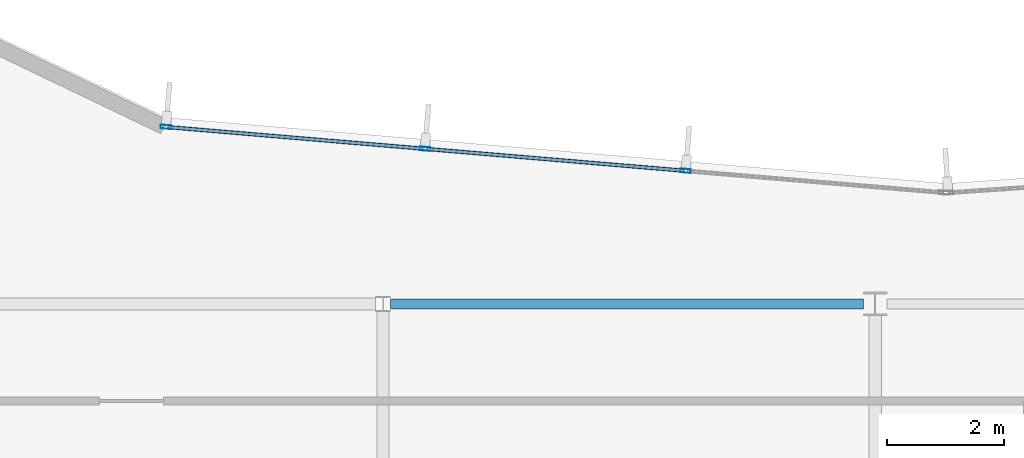
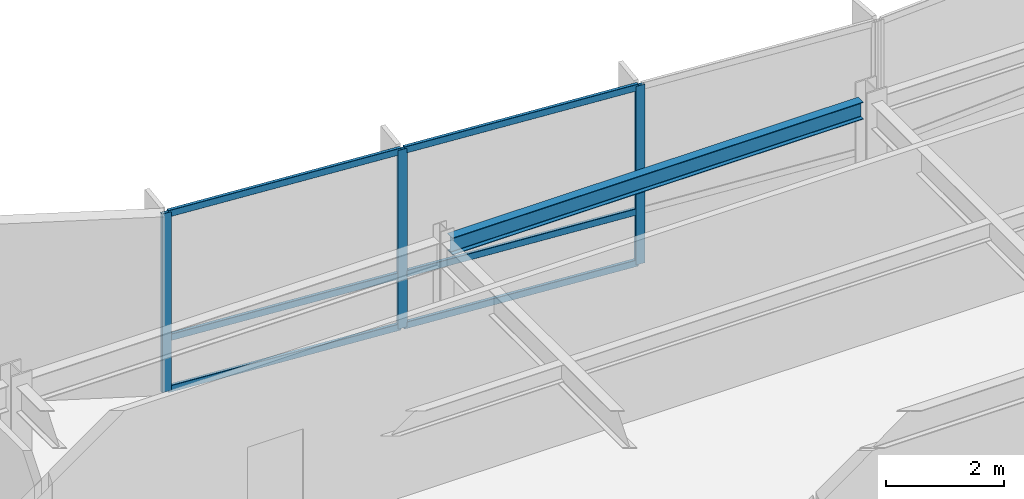
# One storey, part 5 of 15: 9 members, 1 beam, 1 element without a shape of its own.
"""IFC4 building model written with IfcOpenShell, lengths in metres."""

from ifc_helpers import new_model, si_unit, direction, frame, origin, origin_2d, place, context, subcontext, project, spatial, hollow_rectangle, i_section, extrude, material, layer, layer_set, material_profile, profile_set, type_object, element, aggregate, save


model = new_model("IFC4")

# Units and contexts
model_context = context("Model", 3, precision=1e-05, world=origin(), true_north=direction((0.0, 1.0)))
body_context = subcontext(model_context, "Body", "Model", "MODEL_VIEW")
ifc_project = project(units=[si_unit("LENGTHUNIT", "METRE"), si_unit("AREAUNIT", "SQUARE_METRE"), si_unit("VOLUMEUNIT", "CUBIC_METRE"), si_unit("PLANEANGLEUNIT", "RADIAN"), si_unit("MASSUNIT", "GRAM", prefix="KILO")], contexts=[model_context])

# Site, building, storey
site_placement = place(None, origin())
site = spatial("IfcSite", under=ifc_project, at=site_placement, CompositionType="ELEMENT")
building_placement = place(site_placement, origin())
building = spatial("IfcBuilding", under=site, at=building_placement, Name="Varnakote Quay Hospital", CompositionType="ELEMENT")
storey_placement = place(building_placement, frame((0.0, 0.0, 192.10009765625)))
storey = spatial("IfcBuildingStorey", under=building, at=storey_placement, Name="L47", CompositionType="ELEMENT", Elevation=192.10009765625)

# Curtain wall, members
ifc_material_1 = material(Name="Anodised aluminium 6063-T6 Bronze", Category="aluminium")
ifc_layer = layer(ifc_material_1, 0.219970703125)
ifc_layer_set = layer_set([ifc_layer], Name="Anodised aluminium 6063-T6 Bronze")
curtain_wall_type = type_object("IfcCurtainWallType", Name="CW-SYS-4", PredefinedType="NOTDEFINED", material=ifc_layer_set)
curtain_wall_placement = place(storey_placement, origin())
curtain_wall = element("IfcCurtainWall", 1, at=curtain_wall_placement, inside=storey, type_object=curtain_wall_type, Name="L47 Unitised Bronze Curtain Wall 2", PredefinedType="NOTDEFINED")
ifc_material_2 = material(Name="Anodised aluminium 6063-T6 Bronze", Category="aluminium")
ifc_material_profile_1 = material_profile(ifc_material_2, hollow_rectangle(XDim=0.06494140625, YDim=0.179931640625, WallThickness=0.00390625, InnerFilletRadius=0.00390625, OuterFilletRadius=0.008056640625, at=origin_2d()), Name="CW-MULL-180x65")
ifc_profile_set_1 = profile_set([ifc_material_profile_1], Name="Anodised aluminium 6063-T6 Bronze")
member_type_1 = type_object("IfcMemberType", Name="CW-MULL-180x65", PredefinedType="MULLION", material=ifc_profile_set_1)
member_1_placement = place(storey_placement, frame((30.363525390625, 31.0712890625, 0.0), z_axis=(0.0, 0.0, 1.0), x_axis=(-0.084136040089, -0.996454277304, 0.0)))
member_1 = element("IfcMember", 2, at=member_1_placement, type_object=member_type_1, Name="-4-L47-2 mullion 2", PredefinedType="MULLION", context=body_context, shape_type="SweptSolid", body=[
    extrude(hollow_rectangle(XDim=0.06494140625, YDim=0.179931640625, WallThickness=0.00390625, InnerFilletRadius=0.00390625, OuterFilletRadius=0.008056640625, at=origin_2d()), origin(), (0.0, 0.0, 1.0), 3.7099609375),
])
member_2_placement = place(storey_placement, frame((25.912353515625, 31.447265625, 0.0), z_axis=(0.0, 0.0, 1.0), x_axis=(-0.084136040089, -0.996454277304, 0.0)))
member_2 = element("IfcMember", 3, at=member_2_placement, type_object=member_type_1, Name="-4-L47-2 mullion 3", PredefinedType="MULLION", context=body_context, shape_type="SweptSolid", body=[
    extrude(hollow_rectangle(XDim=0.06494140625, YDim=0.179931640625, WallThickness=0.00390625, InnerFilletRadius=0.00390625, OuterFilletRadius=0.008056640625, at=origin_2d()), origin(), (0.0, 0.0, 1.0), 3.7099609375),
])
member_3_placement = place(storey_placement, frame((21.49365234375, 31.8203125, 0.0), z_axis=(0.0, 0.0, 1.0), x_axis=(-0.084136040089, -0.996454277304, 0.0)))
member_3 = element("IfcMember", 4, at=member_3_placement, type_object=member_type_1, Name="-4-L47-2 mullion 4", PredefinedType="MULLION", context=body_context, shape_type="SweptSolid", body=[
    extrude(hollow_rectangle(XDim=0.06494140625, YDim=0.179931640625, WallThickness=0.00390625, InnerFilletRadius=0.00390625, OuterFilletRadius=0.008056640625, at=origin_2d()), origin(), (0.0, 0.0, 1.0), 3.7099609375),
])
ifc_material_3 = material(Name="Anodised aluminium 6063-T6 Bronze", Category="aluminium")
ifc_material_profile_2 = material_profile(ifc_material_3, hollow_rectangle(XDim=0.06494140625, YDim=0.139892578125, WallThickness=0.00390625, InnerFilletRadius=0.00390625, OuterFilletRadius=0.007568359375, at=origin_2d()), Name="CW-TRAN-140x65")
ifc_profile_set_2 = profile_set([ifc_material_profile_2], Name="Anodised aluminium 6063-T6 Bronze")
member_type_2 = type_object("IfcMemberType", Name="CW-TRAN-140x65", PredefinedType="USERDEFINED", material=ifc_profile_set_2)
member_4_placement = place(storey_placement, frame((30.331298828125, 31.073974609375, 0.032470703125), z_axis=(-0.996454515714, 0.084133216471, 0.0), x_axis=(-0.084133216471, -0.996454515714, 0.0)))
member_4 = element("IfcMember", 5, at=member_4_placement, type_object=member_type_2, Name="-4-L47-2 transom 2.1", ObjectType="TRANSOM", PredefinedType="USERDEFINED", context=body_context, shape_type="SweptSolid", body=[
    extrude(hollow_rectangle(XDim=0.06494140625, YDim=0.139892578125, WallThickness=0.00390625, InnerFilletRadius=0.00390625, OuterFilletRadius=0.007568359375, at=origin_2d()), origin(), (0.0, 0.0, 1.0), 4.402099609375),
])
member_5_placement = place(storey_placement, frame((30.331298828125, 31.073974609375, 1.099853515625), z_axis=(-0.996454515714, 0.084133216471, 0.0), x_axis=(-0.084133216471, -0.996454515714, 0.0)))
member_5 = element("IfcMember", 6, at=member_5_placement, type_object=member_type_2, Name="-4-L47-2 transom 2.2", ObjectType="TRANSOM", PredefinedType="USERDEFINED", context=body_context, shape_type="SweptSolid", body=[
    extrude(hollow_rectangle(XDim=0.06494140625, YDim=0.139892578125, WallThickness=0.00390625, InnerFilletRadius=0.00390625, OuterFilletRadius=0.007568359375, at=origin_2d()), origin(), (0.0, 0.0, 1.0), 4.402099609375),
])
member_6_placement = place(storey_placement, frame((30.331298828125, 31.073974609375, 3.677490234375), z_axis=(-0.996454515714, 0.084133216471, 0.0), x_axis=(-0.084133216471, -0.996454515714, 0.0)))
member_6 = element("IfcMember", 7, at=member_6_placement, type_object=member_type_2, Name="-4-L47-2 transom 2.3", ObjectType="TRANSOM", PredefinedType="USERDEFINED", context=body_context, shape_type="SweptSolid", body=[
    extrude(hollow_rectangle(XDim=0.06494140625, YDim=0.139892578125, WallThickness=0.00390625, InnerFilletRadius=0.00390625, OuterFilletRadius=0.007568359375, at=origin_2d()), origin(), (0.0, 0.0, 1.0), 4.402099609375),
])
member_7_placement = place(storey_placement, frame((25.880126953125, 31.449951171875, 0.032470703125), z_axis=(-0.996453440464, 0.084145950507, 0.0), x_axis=(-0.084145950507, -0.996453440464, 0.0)))
member_7 = element("IfcMember", 8, at=member_7_placement, type_object=member_type_2, Name="-4-L47-2 transom 3.1", ObjectType="TRANSOM", PredefinedType="USERDEFINED", context=body_context, shape_type="SweptSolid", body=[
    extrude(hollow_rectangle(XDim=0.06494140625, YDim=0.139892578125, WallThickness=0.00390625, InnerFilletRadius=0.00390625, OuterFilletRadius=0.007568359375, at=origin_2d()), origin(), (0.0, 0.0, 1.0), 4.369384765625),
])
member_8_placement = place(storey_placement, frame((25.880126953125, 31.449951171875, 1.099853515625), z_axis=(-0.996453440464, 0.084145950507, 0.0), x_axis=(-0.084145950507, -0.996453440464, 0.0)))
member_8 = element("IfcMember", 9, at=member_8_placement, type_object=member_type_2, Name="-4-L47-2 transom 3.2", ObjectType="TRANSOM", PredefinedType="USERDEFINED", context=body_context, shape_type="SweptSolid", body=[
    extrude(hollow_rectangle(XDim=0.06494140625, YDim=0.139892578125, WallThickness=0.00390625, InnerFilletRadius=0.00390625, OuterFilletRadius=0.007568359375, at=origin_2d()), origin(), (0.0, 0.0, 1.0), 4.369384765625),
])
member_9_placement = place(storey_placement, frame((25.880126953125, 31.449951171875, 3.677490234375), z_axis=(-0.996453440464, 0.084145950507, 0.0), x_axis=(-0.084145950507, -0.996453440464, 0.0)))
member_9 = element("IfcMember", 10, at=member_9_placement, type_object=member_type_2, Name="-4-L47-2 transom 3.3", ObjectType="TRANSOM", PredefinedType="USERDEFINED", context=body_context, shape_type="SweptSolid", body=[
    extrude(hollow_rectangle(XDim=0.06494140625, YDim=0.139892578125, WallThickness=0.00390625, InnerFilletRadius=0.00390625, OuterFilletRadius=0.007568359375, at=origin_2d()), origin(), (0.0, 0.0, 1.0), 4.369384765625),
])
aggregate(curtain_wall, [member_1, member_2, member_3, member_4, member_5, member_6, member_7, member_8, member_9])

# Beam
ifc_material_4 = material(Name="Structural steel AS/NZS 3679.1 Grade 350 L0 (fy 340 MPa)", Category="steel")
ifc_material_profile_3 = material_profile(ifc_material_4, i_section(OverallWidth=0.172119140625, OverallDepth=0.35888671875, WebThickness=0.008056640625, FlangeThickness=0.012939453125, FilletRadius=0.011474609375, at=origin_2d()), Name="360UB56.7")
ifc_profile_set_3 = profile_set([ifc_material_profile_3], Name="Structural steel AS/NZS 3679.1 Grade 350 L0 (fy 340 MPa)")
beam_type = type_object("IfcBeamType", Name="SPN-STL-360UB56-7", PredefinedType="SPANDREL", material=ifc_profile_set_3)
beam_placement = place(storey_placement, frame((25.327880859375, 28.800048828125, 3.530517578125), z_axis=(1.0, 0.0, 0.0), x_axis=(0.0, 1.0, 0.0)))
element("IfcBeam", 11, at=beam_placement, inside=storey, type_object=beam_type, Name="L47 Perimeter Spandrel Beam", PredefinedType="SPANDREL", context=body_context, shape_type="SweptSolid", body=[
    extrude(i_section(OverallWidth=0.172119140625, OverallDepth=0.35888671875, WebThickness=0.008056640625, FlangeThickness=0.012939453125, FilletRadius=0.011474609375, at=origin_2d()), origin(), (0.0, 0.0, 1.0), 8.072021484375),
])

save(model, "model.ifc")
